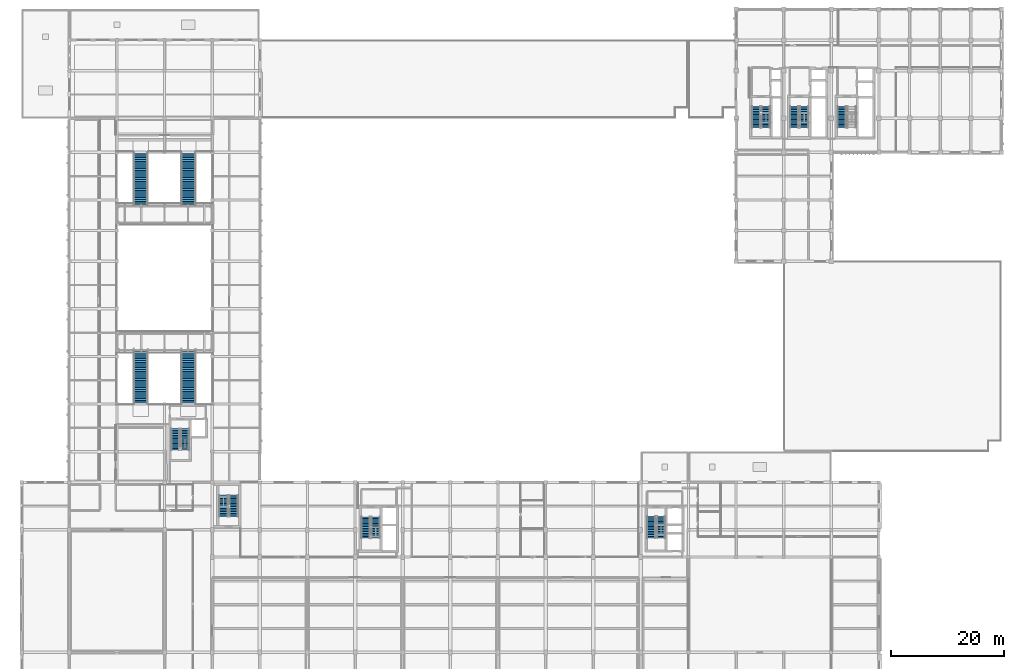
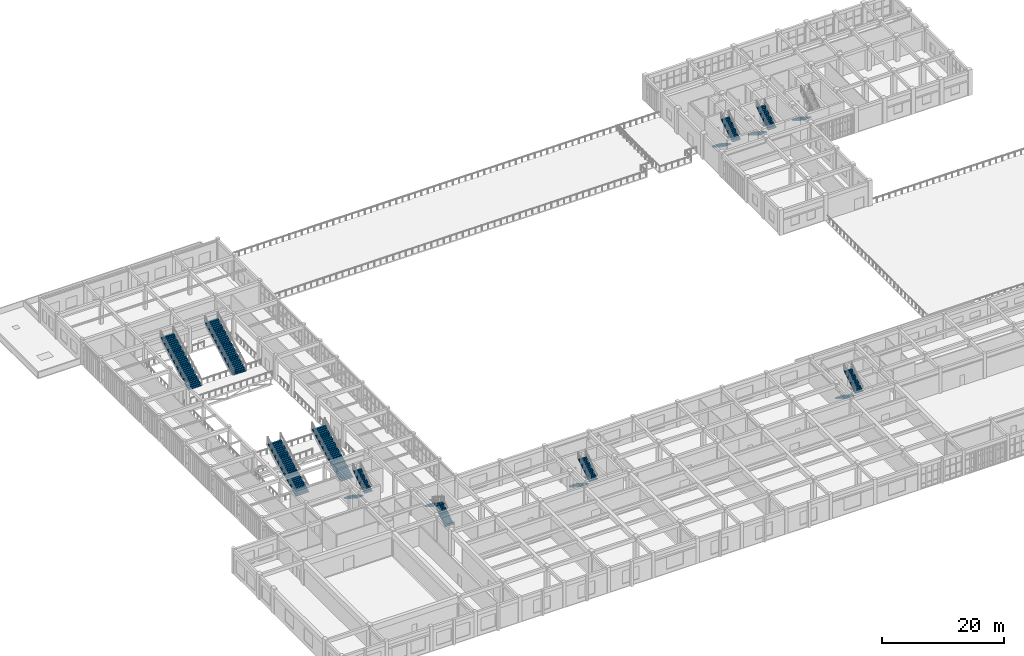
# One storey, part 83 of 93: 17 stair flights, 11 elements without a shape of their own.
"""IFC4 building model written with IfcOpenShell, lengths in metres."""

from ifc_helpers import new_model, si_unit, direction, frame, origin, place, context, subcontext, project, spatial, polyline, outline, extrude, material, type_object, element, aggregate, save


model = new_model("IFC4")

# Units and contexts
model_context = context("Model", 3, precision=1e-05, world=origin(), true_north=direction((0.0, 1.0)))
body_context = subcontext(model_context, "Body", "Model", "MODEL_VIEW")
ifc_project = project(units=[si_unit("LENGTHUNIT", "METRE"), si_unit("AREAUNIT", "SQUARE_METRE"), si_unit("VOLUMEUNIT", "CUBIC_METRE"), si_unit("PLANEANGLEUNIT", "RADIAN"), si_unit("MASSUNIT", "GRAM", prefix="KILO")], contexts=[model_context])

# Site, building, storey
site_placement = place(None, origin())
site = spatial("IfcSite", under=ifc_project, at=site_placement, CompositionType="ELEMENT")
building_placement = place(site_placement, origin())
building = spatial("IfcBuilding", under=site, at=building_placement, Name="Krzemoval Escarpment Law Courts", CompositionType="ELEMENT")
storey_placement = place(building_placement, frame((0.0, 0.0, 10.199951171875)))
storey = spatial("IfcBuildingStorey", under=building, at=storey_placement, Name="L02", CompositionType="ELEMENT", Elevation=10.199951171875)

# Stair, stair flights
ifc_material_1 = material(Name="Concrete C40/50", Category="concrete")
stair_type_1 = type_object("IfcStairType", Name="STR-CORE-1500", PredefinedType="HALF_TURN_STAIR", material=ifc_material_1)
stair_1_placement = place(storey_placement, origin())
stair_1 = element("IfcStair", 1, at=stair_1_placement, inside=storey, type_object=stair_type_1, Name="L02 ST5", PredefinedType="HALF_TURN_STAIR")
ifc_material_2 = material(Name="Concrete C40/50", Category="concrete")
stair_flight_type_1 = type_object("IfcStairFlightType", Name="STF-CORE-1500", PredefinedType="STRAIGHT", material=ifc_material_2)
stair_flight_1_placement = place(storey_placement, frame((27.10009765625, 44.85009765625, 0.0), z_axis=(0.0, 0.0, 1.0), x_axis=(0.0, -1.0, 0.0)))
stair_flight_1 = element("IfcStairFlight", 2, at=stair_flight_1_placement, type_object=stair_flight_type_1, Name="ST5 flight 1", NumberOfRisers=14, NumberOfTreads=13, PredefinedType="STRAIGHT", RiserHeight=0.182142857, TreadLength=0.29, context=body_context, shape_type="SweptSolid", body=[
    extrude(outline(polyline([(0.0, 0.0), (0.0, 0.18212890625), (0.2900390625, 0.18212890625), (0.2900390625, 0.3642578125), (0.580078125, 0.3642578125), (0.580078125, 0.54638671875), (0.8701171875, 0.54638671875), (0.8701171875, 0.728515625), (1.159912109375, 0.728515625), (1.159912109375, 0.91064453125), (1.449951171875, 0.91064453125), (1.449951171875, 1.0927734375), (1.739990234375, 1.0927734375), (1.739990234375, 1.27490234375), (2.030029296875, 1.27490234375), (2.030029296875, 1.45703125), (2.320068359375, 1.45703125), (2.320068359375, 1.639404296875), (2.610107421875, 1.639404296875), (2.610107421875, 1.821533203125), (2.89990234375, 1.821533203125), (2.89990234375, 2.003662109375), (3.18994140625, 2.003662109375), (3.18994140625, 2.185791015625), (3.47998046875, 2.185791015625), (3.47998046875, 2.367919921875), (3.77001953125, 2.367919921875), (3.77001953125, 2.550048828125), (3.77001953125, 2.19091796875), (0.28173828125, 0.0), (0.0, 0.0)])), frame((0.0, 0.75, 0.0), z_axis=(0.0, -1.0, 0.0), x_axis=(1.0, 0.0, 0.0)), (0.0, 0.0, 1.0), 1.5),
])
stair_flight_2_placement = place(storey_placement, frame((28.800048828125, 41.080078125, 2.550048828125), z_axis=(0.0, 0.0, 1.0), x_axis=(0.0, 1.0, 0.0)))
stair_flight_2 = element("IfcStairFlight", 3, at=stair_flight_2_placement, type_object=stair_flight_type_1, Name="ST5 flight 2", NumberOfRisers=14, NumberOfTreads=13, PredefinedType="STRAIGHT", RiserHeight=0.182142857, TreadLength=0.29, context=body_context, shape_type="SweptSolid", body=[
    extrude(outline(polyline([(0.0, 0.0), (0.0, 0.18212890625), (0.2900390625, 0.18212890625), (0.2900390625, 0.3642578125), (0.580078125, 0.3642578125), (0.580078125, 0.54638671875), (0.8701171875, 0.54638671875), (0.8701171875, 0.728515625), (1.159912109375, 0.728515625), (1.159912109375, 0.91064453125), (1.449951171875, 0.91064453125), (1.449951171875, 1.0927734375), (1.739990234375, 1.0927734375), (1.739990234375, 1.27490234375), (2.030029296875, 1.27490234375), (2.030029296875, 1.45703125), (2.320068359375, 1.45703125), (2.320068359375, 1.639404296875), (2.610107421875, 1.639404296875), (2.610107421875, 1.821533203125), (2.89990234375, 1.821533203125), (2.89990234375, 2.003662109375), (3.18994140625, 2.003662109375), (3.18994140625, 2.185791015625), (3.47998046875, 2.185791015625), (3.47998046875, 2.367919921875), (3.77001953125, 2.367919921875), (3.77001953125, 2.550048828125), (3.77001953125, 2.19091796875), (0.28173828125, 0.0), (0.0, 0.0)])), frame((0.0, 0.75, 0.0), z_axis=(0.0, -1.0, 0.0), x_axis=(1.0, 0.0, 0.0)), (0.0, 0.0, 1.0), 1.5),
])
aggregate(stair_1, [stair_flight_1, stair_flight_2])

stair_2_placement = place(storey_placement, origin())
stair_2 = element("IfcStair", 4, at=stair_2_placement, inside=storey, type_object=stair_type_1, Name="L02 ST6", PredefinedType="HALF_TURN_STAIR")
stair_flight_3_placement = place(storey_placement, frame((111.050048828125, 29.35009765625, 0.0), z_axis=(0.0, 0.0, 1.0), x_axis=(0.0, -1.0, 0.0)))
stair_flight_3 = element("IfcStairFlight", 5, at=stair_flight_3_placement, type_object=stair_flight_type_1, Name="ST6 flight 1", NumberOfRisers=14, NumberOfTreads=13, PredefinedType="STRAIGHT", RiserHeight=0.182142857, TreadLength=0.29, context=body_context, shape_type="SweptSolid", body=[
    extrude(outline(polyline([(0.0, 0.0), (0.0, 0.18212890625), (0.2900390625, 0.18212890625), (0.2900390625, 0.3642578125), (0.580078125, 0.3642578125), (0.580078125, 0.54638671875), (0.8701171875, 0.54638671875), (0.8701171875, 0.728515625), (1.159912109375, 0.728515625), (1.159912109375, 0.91064453125), (1.449951171875, 0.91064453125), (1.449951171875, 1.0927734375), (1.739990234375, 1.0927734375), (1.739990234375, 1.27490234375), (2.030029296875, 1.27490234375), (2.030029296875, 1.45703125), (2.320068359375, 1.45703125), (2.320068359375, 1.639404296875), (2.610107421875, 1.639404296875), (2.610107421875, 1.821533203125), (2.89990234375, 1.821533203125), (2.89990234375, 2.003662109375), (3.18994140625, 2.003662109375), (3.18994140625, 2.185791015625), (3.47998046875, 2.185791015625), (3.47998046875, 2.367919921875), (3.77001953125, 2.367919921875), (3.77001953125, 2.550048828125), (3.77001953125, 2.19091796875), (0.28173828125, 0.0), (0.0, 0.0)])), frame((0.0, 0.75, 0.0), z_axis=(0.0, -1.0, 0.0), x_axis=(1.0, 0.0, 0.0)), (0.0, 0.0, 1.0), 1.5),
])
stair_flight_4_placement = place(storey_placement, frame((112.75, 25.580078125, 2.550048828125), z_axis=(0.0, 0.0, 1.0), x_axis=(0.0, 1.0, 0.0)))
stair_flight_4 = element("IfcStairFlight", 6, at=stair_flight_4_placement, type_object=stair_flight_type_1, Name="ST6 flight 2", NumberOfRisers=14, NumberOfTreads=13, PredefinedType="STRAIGHT", RiserHeight=0.182142857, TreadLength=0.29, context=body_context, shape_type="SweptSolid", body=[
    extrude(outline(polyline([(0.0, 0.0), (0.0, 0.18212890625), (0.2900390625, 0.18212890625), (0.2900390625, 0.3642578125), (0.580078125, 0.3642578125), (0.580078125, 0.54638671875), (0.8701171875, 0.54638671875), (0.8701171875, 0.728515625), (1.159912109375, 0.728515625), (1.159912109375, 0.91064453125), (1.449951171875, 0.91064453125), (1.449951171875, 1.0927734375), (1.739990234375, 1.0927734375), (1.739990234375, 1.27490234375), (2.030029296875, 1.27490234375), (2.030029296875, 1.45703125), (2.320068359375, 1.45703125), (2.320068359375, 1.639404296875), (2.610107421875, 1.639404296875), (2.610107421875, 1.821533203125), (2.89990234375, 1.821533203125), (2.89990234375, 2.003662109375), (3.18994140625, 2.003662109375), (3.18994140625, 2.185791015625), (3.47998046875, 2.185791015625), (3.47998046875, 2.367919921875), (3.77001953125, 2.367919921875), (3.77001953125, 2.550048828125), (3.77001953125, 2.19091796875), (0.28173828125, 0.0), (0.0, 0.0)])), frame((0.0, 0.75, 0.0), z_axis=(0.0, -1.0, 0.0), x_axis=(1.0, 0.0, 0.0)), (0.0, 0.0, 1.0), 1.5),
])
aggregate(stair_2, [stair_flight_3, stair_flight_4])

ifc_material_3 = material(Name="Concrete C40/50", Category="concrete")
stair_type_2 = type_object("IfcStairType", Name="STR-CORE-1550", PredefinedType="HALF_TURN_STAIR", material=ifc_material_3)
stair_3_placement = place(storey_placement, origin())
stair_3 = element("IfcStair", 7, at=stair_3_placement, inside=storey, type_object=stair_type_2, Name="L02 ST1", PredefinedType="HALF_TURN_STAIR")
ifc_material_4 = material(Name="Concrete C40/50", Category="concrete")
stair_flight_type_2 = type_object("IfcStairFlightType", Name="STF-CORE-1550", PredefinedType="STRAIGHT", material=ifc_material_4)
stair_flight_5_placement = place(storey_placement, frame((129.52490234375, 101.699951171875, 0.0), z_axis=(0.0, 0.0, 1.0), x_axis=(0.0, -1.0, 0.0)))
stair_flight_5 = element("IfcStairFlight", 8, at=stair_flight_5_placement, type_object=stair_flight_type_2, Name="ST1 flight 1", NumberOfRisers=14, NumberOfTreads=13, PredefinedType="STRAIGHT", RiserHeight=0.182142857, TreadLength=0.29, context=body_context, shape_type="SweptSolid", body=[
    extrude(outline(polyline([(0.0, 0.0), (0.0, 0.18212890625), (0.2900390625, 0.18212890625), (0.2900390625, 0.3642578125), (0.580078125, 0.3642578125), (0.580078125, 0.54638671875), (0.8701171875, 0.54638671875), (0.8701171875, 0.728515625), (1.159912109375, 0.728515625), (1.159912109375, 0.91064453125), (1.449951171875, 0.91064453125), (1.449951171875, 1.0927734375), (1.739990234375, 1.0927734375), (1.739990234375, 1.27490234375), (2.030029296875, 1.27490234375), (2.030029296875, 1.45703125), (2.320068359375, 1.45703125), (2.320068359375, 1.639404296875), (2.610107421875, 1.639404296875), (2.610107421875, 1.821533203125), (2.89990234375, 1.821533203125), (2.89990234375, 2.003662109375), (3.18994140625, 2.003662109375), (3.18994140625, 2.185791015625), (3.47998046875, 2.185791015625), (3.47998046875, 2.367919921875), (3.77001953125, 2.367919921875), (3.77001953125, 2.550048828125), (3.77001953125, 2.19091796875), (0.28173828125, 0.0), (0.0, 0.0)])), frame((0.0, 0.77490234375, 0.0), z_axis=(0.0, -1.0, 0.0), x_axis=(1.0, 0.0, 0.0)), (0.0, 0.0, 1.0), 1.550048828125),
])
stair_flight_6_placement = place(storey_placement, frame((131.27490234375, 97.929931640625, 2.550048828125), z_axis=(0.0, 0.0, 1.0), x_axis=(0.0, 1.0, 0.0)))
stair_flight_6 = element("IfcStairFlight", 9, at=stair_flight_6_placement, type_object=stair_flight_type_2, Name="ST1 flight 2", NumberOfRisers=14, NumberOfTreads=13, PredefinedType="STRAIGHT", RiserHeight=0.182142857, TreadLength=0.29, context=body_context, shape_type="SweptSolid", body=[
    extrude(outline(polyline([(0.0, 0.0), (0.0, 0.18212890625), (0.2900390625, 0.18212890625), (0.2900390625, 0.3642578125), (0.580078125, 0.3642578125), (0.580078125, 0.54638671875), (0.8701171875, 0.54638671875), (0.8701171875, 0.728515625), (1.159912109375, 0.728515625), (1.159912109375, 0.91064453125), (1.449951171875, 0.91064453125), (1.449951171875, 1.0927734375), (1.739990234375, 1.0927734375), (1.739990234375, 1.27490234375), (2.030029296875, 1.27490234375), (2.030029296875, 1.45703125), (2.320068359375, 1.45703125), (2.320068359375, 1.639404296875), (2.610107421875, 1.639404296875), (2.610107421875, 1.821533203125), (2.89990234375, 1.821533203125), (2.89990234375, 2.003662109375), (3.18994140625, 2.003662109375), (3.18994140625, 2.185791015625), (3.47998046875, 2.185791015625), (3.47998046875, 2.367919921875), (3.77001953125, 2.367919921875), (3.77001953125, 2.550048828125), (3.77001953125, 2.19091796875), (0.28173828125, 0.0), (0.0, 0.0)])), frame((0.0, 0.77490234375, 0.0), z_axis=(0.0, -1.0, 0.0), x_axis=(1.0, 0.0, 0.0)), (0.0, 0.0, 1.0), 1.550048828125),
])
aggregate(stair_3, [stair_flight_5, stair_flight_6])

stair_4_placement = place(storey_placement, origin())
stair_4 = element("IfcStair", 10, at=stair_4_placement, inside=storey, type_object=stair_type_2, Name="L02 ST2", PredefinedType="HALF_TURN_STAIR")
stair_flight_7_placement = place(storey_placement, frame((136.27490234375, 101.699951171875, 0.0), z_axis=(0.0, 0.0, 1.0), x_axis=(0.0, -1.0, 0.0)))
stair_flight_7 = element("IfcStairFlight", 11, at=stair_flight_7_placement, type_object=stair_flight_type_2, Name="ST2 flight 1", NumberOfRisers=14, NumberOfTreads=13, PredefinedType="STRAIGHT", RiserHeight=0.182142857, TreadLength=0.29, context=body_context, shape_type="SweptSolid", body=[
    extrude(outline(polyline([(0.0, 0.0), (0.0, 0.18212890625), (0.2900390625, 0.18212890625), (0.2900390625, 0.3642578125), (0.580078125, 0.3642578125), (0.580078125, 0.54638671875), (0.8701171875, 0.54638671875), (0.8701171875, 0.728515625), (1.159912109375, 0.728515625), (1.159912109375, 0.91064453125), (1.449951171875, 0.91064453125), (1.449951171875, 1.0927734375), (1.739990234375, 1.0927734375), (1.739990234375, 1.27490234375), (2.030029296875, 1.27490234375), (2.030029296875, 1.45703125), (2.320068359375, 1.45703125), (2.320068359375, 1.639404296875), (2.610107421875, 1.639404296875), (2.610107421875, 1.821533203125), (2.89990234375, 1.821533203125), (2.89990234375, 2.003662109375), (3.18994140625, 2.003662109375), (3.18994140625, 2.185791015625), (3.47998046875, 2.185791015625), (3.47998046875, 2.367919921875), (3.77001953125, 2.367919921875), (3.77001953125, 2.550048828125), (3.77001953125, 2.19091796875), (0.28173828125, 0.0), (0.0, 0.0)])), frame((0.0, 0.77490234375, 0.0), z_axis=(0.0, -1.0, 0.0), x_axis=(1.0, 0.0, 0.0)), (0.0, 0.0, 1.0), 1.550048828125),
])
stair_flight_8_placement = place(storey_placement, frame((138.02490234375, 97.929931640625, 2.550048828125), z_axis=(0.0, 0.0, 1.0), x_axis=(0.0, 1.0, 0.0)))
stair_flight_8 = element("IfcStairFlight", 12, at=stair_flight_8_placement, type_object=stair_flight_type_2, Name="ST2 flight 2", NumberOfRisers=14, NumberOfTreads=13, PredefinedType="STRAIGHT", RiserHeight=0.182142857, TreadLength=0.29, context=body_context, shape_type="SweptSolid", body=[
    extrude(outline(polyline([(0.0, 0.0), (0.0, 0.18212890625), (0.2900390625, 0.18212890625), (0.2900390625, 0.3642578125), (0.580078125, 0.3642578125), (0.580078125, 0.54638671875), (0.8701171875, 0.54638671875), (0.8701171875, 0.728515625), (1.159912109375, 0.728515625), (1.159912109375, 0.91064453125), (1.449951171875, 0.91064453125), (1.449951171875, 1.0927734375), (1.739990234375, 1.0927734375), (1.739990234375, 1.27490234375), (2.030029296875, 1.27490234375), (2.030029296875, 1.45703125), (2.320068359375, 1.45703125), (2.320068359375, 1.639404296875), (2.610107421875, 1.639404296875), (2.610107421875, 1.821533203125), (2.89990234375, 1.821533203125), (2.89990234375, 2.003662109375), (3.18994140625, 2.003662109375), (3.18994140625, 2.185791015625), (3.47998046875, 2.185791015625), (3.47998046875, 2.367919921875), (3.77001953125, 2.367919921875), (3.77001953125, 2.550048828125), (3.77001953125, 2.19091796875), (0.28173828125, 0.0), (0.0, 0.0)])), frame((0.0, 0.77490234375, 0.0), z_axis=(0.0, -1.0, 0.0), x_axis=(1.0, 0.0, 0.0)), (0.0, 0.0, 1.0), 1.550048828125),
])
aggregate(stair_4, [stair_flight_7, stair_flight_8])

# Stair, stair flight
stair_5_placement = place(storey_placement, origin())
stair_5 = element("IfcStair", 13, at=stair_5_placement, inside=storey, type_object=stair_type_2, Name="L02 ST3", PredefinedType="HALF_TURN_STAIR")
stair_flight_9_placement = place(storey_placement, frame((144.675048828125, 101.699951171875, 0.0), z_axis=(0.0, 0.0, 1.0), x_axis=(0.0, -1.0, 0.0)))
stair_flight_9 = element("IfcStairFlight", 14, at=stair_flight_9_placement, type_object=stair_flight_type_2, Name="ST3 flight 1", NumberOfRisers=14, NumberOfTreads=13, PredefinedType="STRAIGHT", RiserHeight=0.182142857, TreadLength=0.29, context=body_context, shape_type="SweptSolid", body=[
    extrude(outline(polyline([(0.0, 0.0), (0.0, 0.18212890625), (0.2900390625, 0.18212890625), (0.2900390625, 0.3642578125), (0.580078125, 0.3642578125), (0.580078125, 0.54638671875), (0.8701171875, 0.54638671875), (0.8701171875, 0.728515625), (1.159912109375, 0.728515625), (1.159912109375, 0.91064453125), (1.449951171875, 0.91064453125), (1.449951171875, 1.0927734375), (1.739990234375, 1.0927734375), (1.739990234375, 1.27490234375), (2.030029296875, 1.27490234375), (2.030029296875, 1.45703125), (2.320068359375, 1.45703125), (2.320068359375, 1.639404296875), (2.610107421875, 1.639404296875), (2.610107421875, 1.821533203125), (2.89990234375, 1.821533203125), (2.89990234375, 2.003662109375), (3.18994140625, 2.003662109375), (3.18994140625, 2.185791015625), (3.47998046875, 2.185791015625), (3.47998046875, 2.367919921875), (3.77001953125, 2.367919921875), (3.77001953125, 2.550048828125), (3.77001953125, 2.19091796875), (0.28173828125, 0.0), (0.0, 0.0)])), frame((0.0, 0.77490234375, 0.0), z_axis=(0.0, -1.0, 0.0), x_axis=(1.0, 0.0, 0.0)), (0.0, 0.0, 1.0), 1.550048828125),
])
aggregate(stair_5, [stair_flight_9])

# Stair, stair flights
stair_6_placement = place(storey_placement, origin())
stair_6 = element("IfcStair", 15, at=stair_6_placement, inside=storey, type_object=stair_type_2, Name="L02 ST4", PredefinedType="HALF_TURN_STAIR")
stair_flight_10_placement = place(storey_placement, frame((60.675048828125, 29.300048828125, 0.0), z_axis=(0.0, 0.0, 1.0), x_axis=(0.0, -1.0, 0.0)))
stair_flight_10 = element("IfcStairFlight", 16, at=stair_flight_10_placement, type_object=stair_flight_type_2, Name="ST4 flight 1", NumberOfRisers=14, NumberOfTreads=13, PredefinedType="STRAIGHT", RiserHeight=0.182142857, TreadLength=0.29, context=body_context, shape_type="SweptSolid", body=[
    extrude(outline(polyline([(0.0, 0.0), (0.0, 0.18212890625), (0.2900390625, 0.18212890625), (0.2900390625, 0.3642578125), (0.580078125, 0.3642578125), (0.580078125, 0.54638671875), (0.8701171875, 0.54638671875), (0.8701171875, 0.728515625), (1.159912109375, 0.728515625), (1.159912109375, 0.91064453125), (1.449951171875, 0.91064453125), (1.449951171875, 1.0927734375), (1.739990234375, 1.0927734375), (1.739990234375, 1.27490234375), (2.030029296875, 1.27490234375), (2.030029296875, 1.45703125), (2.320068359375, 1.45703125), (2.320068359375, 1.639404296875), (2.610107421875, 1.639404296875), (2.610107421875, 1.821533203125), (2.89990234375, 1.821533203125), (2.89990234375, 2.003662109375), (3.18994140625, 2.003662109375), (3.18994140625, 2.185791015625), (3.47998046875, 2.185791015625), (3.47998046875, 2.367919921875), (3.77001953125, 2.367919921875), (3.77001953125, 2.550048828125), (3.77001953125, 2.19091796875), (0.28173828125, 0.0), (0.0, 0.0)])), frame((0.0, 0.77490234375, 0.0), z_axis=(0.0, -1.0, 0.0), x_axis=(1.0, 0.0, 0.0)), (0.0, 0.0, 1.0), 1.550048828125),
])
stair_flight_11_placement = place(storey_placement, frame((62.425048828125, 25.530029296875, 2.550048828125), z_axis=(0.0, 0.0, 1.0), x_axis=(0.0, 1.0, 0.0)))
stair_flight_11 = element("IfcStairFlight", 17, at=stair_flight_11_placement, type_object=stair_flight_type_2, Name="ST4 flight 2", NumberOfRisers=14, NumberOfTreads=13, PredefinedType="STRAIGHT", RiserHeight=0.182142857, TreadLength=0.29, context=body_context, shape_type="SweptSolid", body=[
    extrude(outline(polyline([(0.0, 0.0), (0.0, 0.18212890625), (0.2900390625, 0.18212890625), (0.2900390625, 0.3642578125), (0.580078125, 0.3642578125), (0.580078125, 0.54638671875), (0.8701171875, 0.54638671875), (0.8701171875, 0.728515625), (1.159912109375, 0.728515625), (1.159912109375, 0.91064453125), (1.449951171875, 0.91064453125), (1.449951171875, 1.0927734375), (1.739990234375, 1.0927734375), (1.739990234375, 1.27490234375), (2.030029296875, 1.27490234375), (2.030029296875, 1.45703125), (2.320068359375, 1.45703125), (2.320068359375, 1.639404296875), (2.610107421875, 1.639404296875), (2.610107421875, 1.821533203125), (2.89990234375, 1.821533203125), (2.89990234375, 2.003662109375), (3.18994140625, 2.003662109375), (3.18994140625, 2.185791015625), (3.47998046875, 2.185791015625), (3.47998046875, 2.367919921875), (3.77001953125, 2.367919921875), (3.77001953125, 2.550048828125), (3.77001953125, 2.19091796875), (0.28173828125, 0.0), (0.0, 0.0)])), frame((0.0, 0.77490234375, 0.0), z_axis=(0.0, -1.0, 0.0), x_axis=(1.0, 0.0, 0.0)), (0.0, 0.0, 1.0), 1.550048828125),
])
aggregate(stair_6, [stair_flight_10, stair_flight_11])

ifc_material_5 = material(Name="Concrete C40/50", Category="concrete")
stair_type_3 = type_object("IfcStairType", Name="STR-CORE-1600", PredefinedType="HALF_TURN_STAIR", material=ifc_material_5)
stair_7_placement = place(storey_placement, origin())
stair_7 = element("IfcStair", 18, at=stair_7_placement, inside=storey, type_object=stair_type_3, Name="L02 ST9", PredefinedType="HALF_TURN_STAIR")
ifc_material_6 = material(Name="Concrete C40/50", Category="concrete")
stair_flight_type_3 = type_object("IfcStairFlightType", Name="STF-CORE-1600", PredefinedType="STRAIGHT", material=ifc_material_6)
stair_flight_12_placement = place(storey_placement, frame((37.39990234375, 29.35009765625, 0.0), z_axis=(0.0, 0.0, 1.0), x_axis=(0.0, 1.0, 0.0)))
stair_flight_12 = element("IfcStairFlight", 19, at=stair_flight_12_placement, type_object=stair_flight_type_3, Name="ST9 flight 1", NumberOfRisers=14, NumberOfTreads=13, PredefinedType="STRAIGHT", RiserHeight=0.182142857, TreadLength=0.29, context=body_context, shape_type="SweptSolid", body=[
    extrude(outline(polyline([(0.0, 0.0), (0.0, 0.18212890625), (0.2900390625, 0.18212890625), (0.2900390625, 0.3642578125), (0.580078125, 0.3642578125), (0.580078125, 0.54638671875), (0.8701171875, 0.54638671875), (0.8701171875, 0.728515625), (1.159912109375, 0.728515625), (1.159912109375, 0.91064453125), (1.449951171875, 0.91064453125), (1.449951171875, 1.0927734375), (1.739990234375, 1.0927734375), (1.739990234375, 1.27490234375), (2.030029296875, 1.27490234375), (2.030029296875, 1.45703125), (2.320068359375, 1.45703125), (2.320068359375, 1.639404296875), (2.610107421875, 1.639404296875), (2.610107421875, 1.821533203125), (2.89990234375, 1.821533203125), (2.89990234375, 2.003662109375), (3.18994140625, 2.003662109375), (3.18994140625, 2.185791015625), (3.47998046875, 2.185791015625), (3.47998046875, 2.367919921875), (3.77001953125, 2.367919921875), (3.77001953125, 2.550048828125), (3.77001953125, 2.19091796875), (0.28173828125, 0.0), (0.0, 0.0)])), frame((0.0, 0.800048828125, 0.0), z_axis=(0.0, -1.0, 0.0), x_axis=(1.0, 0.0, 0.0)), (0.0, 0.0, 1.0), 1.60009765625),
])
stair_flight_13_placement = place(storey_placement, frame((35.60009765625, 33.1201171875, 2.550048828125), z_axis=(0.0, 0.0, 1.0), x_axis=(0.0, -1.0, 0.0)))
stair_flight_13 = element("IfcStairFlight", 20, at=stair_flight_13_placement, type_object=stair_flight_type_3, Name="ST9 flight 2", NumberOfRisers=14, NumberOfTreads=13, PredefinedType="STRAIGHT", RiserHeight=0.182142857, TreadLength=0.29, context=body_context, shape_type="SweptSolid", body=[
    extrude(outline(polyline([(0.0, 0.0), (0.0, 0.18212890625), (0.2900390625, 0.18212890625), (0.2900390625, 0.3642578125), (0.580078125, 0.3642578125), (0.580078125, 0.54638671875), (0.8701171875, 0.54638671875), (0.8701171875, 0.728515625), (1.159912109375, 0.728515625), (1.159912109375, 0.91064453125), (1.449951171875, 0.91064453125), (1.449951171875, 1.0927734375), (1.739990234375, 1.0927734375), (1.739990234375, 1.27490234375), (2.030029296875, 1.27490234375), (2.030029296875, 1.45703125), (2.320068359375, 1.45703125), (2.320068359375, 1.639404296875), (2.610107421875, 1.639404296875), (2.610107421875, 1.821533203125), (2.89990234375, 1.821533203125), (2.89990234375, 2.003662109375), (3.18994140625, 2.003662109375), (3.18994140625, 2.185791015625), (3.47998046875, 2.185791015625), (3.47998046875, 2.367919921875), (3.77001953125, 2.367919921875), (3.77001953125, 2.550048828125), (3.77001953125, 2.19091796875), (0.28173828125, 0.0), (0.0, 0.0)])), frame((0.0, 0.800048828125, 0.0), z_axis=(0.0, -1.0, 0.0), x_axis=(1.0, 0.0, 0.0)), (0.0, 0.0, 1.0), 1.60009765625),
])
aggregate(stair_7, [stair_flight_12, stair_flight_13])

# Stair, stair flight
ifc_material_7 = material(Name="Concrete C40/50", Category="concrete")
stair_type_4 = type_object("IfcStairType", Name="STR-MON-2500", PredefinedType="STRAIGHT_RUN_STAIR", material=ifc_material_7)
stair_8_placement = place(storey_placement, origin())
stair_8 = element("IfcStair", 21, at=stair_8_placement, inside=storey, type_object=stair_type_4, Name="Monumental Public Hall Stair ST7-L02", PredefinedType="STRAIGHT_RUN_STAIR")
ifc_material_8 = material(Name="Concrete C40/50", Category="concrete")
stair_flight_type_4 = type_object("IfcStairFlightType", Name="STF-MON-2500", PredefinedType="STRAIGHT", material=ifc_material_8)
stair_flight_14_placement = place(storey_placement, frame((21.0, 49.199951171875, 0.0), z_axis=(0.0, 0.0, 1.0), x_axis=(0.0, 1.0, 0.0)))
stair_flight_14 = element("IfcStairFlight", 22, at=stair_flight_14_placement, type_object=stair_flight_type_4, Name="ST7-L02 flight 1", NumberOfRisers=30, NumberOfTreads=29, PredefinedType="STRAIGHT", RiserHeight=0.17, TreadLength=0.32, context=body_context, shape_type="SweptSolid", body=[
    extrude(outline(polyline([(0.0, 0.0), (0.0, 0.169921875), (0.320068359375, 0.169921875), (0.320068359375, 0.340087890625), (0.639892578125, 0.340087890625), (0.639892578125, 0.510009765625), (0.9599609375, 0.510009765625), (0.9599609375, 0.679931640625), (1.280029296875, 0.679931640625), (1.280029296875, 0.85009765625), (1.60009765625, 0.85009765625), (1.60009765625, 1.02001953125), (1.919921875, 1.02001953125), (1.919921875, 1.18994140625), (2.239990234375, 1.18994140625), (2.239990234375, 1.360107421875), (2.56005859375, 1.360107421875), (2.56005859375, 1.530029296875), (2.8798828125, 1.530029296875), (2.8798828125, 1.699951171875), (3.199951171875, 1.699951171875), (3.199951171875, 1.8701171875), (3.52001953125, 1.8701171875), (3.52001953125, 2.0400390625), (3.840087890625, 2.0400390625), (3.840087890625, 2.2099609375), (4.159912109375, 2.2099609375), (4.159912109375, 2.3798828125), (4.47998046875, 2.3798828125), (4.47998046875, 2.550048828125), (4.800048828125, 2.550048828125), (4.800048828125, 2.719970703125), (5.1201171875, 2.719970703125), (5.1201171875, 2.889892578125), (5.43994140625, 2.889892578125), (5.43994140625, 3.06005859375), (5.760009765625, 3.06005859375), (5.760009765625, 3.22998046875), (6.080078125, 3.22998046875), (6.080078125, 3.39990234375), (6.39990234375, 3.39990234375), (6.39990234375, 3.570068359375), (6.719970703125, 3.570068359375), (6.719970703125, 3.739990234375), (7.0400390625, 3.739990234375), (7.0400390625, 3.909912109375), (7.360107421875, 3.909912109375), (7.360107421875, 4.080078125), (7.679931640625, 4.080078125), (7.679931640625, 4.25), (8.0, 4.25), (8.0, 4.419921875), (8.320068359375, 4.419921875), (8.320068359375, 4.590087890625), (8.639892578125, 4.590087890625), (8.639892578125, 4.760009765625), (8.9599609375, 4.760009765625), (8.9599609375, 4.929931640625), (9.280029296875, 4.929931640625), (9.280029296875, 5.10009765625), (9.280029296875, 4.726318359375), (0.383544921875, 0.0), (0.0, 0.0)])), frame((0.0, 1.25, 0.0), z_axis=(0.0, -1.0, 0.0), x_axis=(1.0, 0.0, 0.0)), (0.0, 0.0, 1.0), 2.5),
])
aggregate(stair_8, [stair_flight_14])

stair_9_placement = place(storey_placement, origin())
stair_9 = element("IfcStair", 23, at=stair_9_placement, inside=storey, type_object=stair_type_4, Name="Monumental Public Hall Stair ST8-L02", PredefinedType="STRAIGHT_RUN_STAIR")
stair_flight_15_placement = place(storey_placement, frame((29.39990234375, 49.199951171875, 0.0), z_axis=(0.0, 0.0, 1.0), x_axis=(0.0, 1.0, 0.0)))
stair_flight_15 = element("IfcStairFlight", 24, at=stair_flight_15_placement, type_object=stair_flight_type_4, Name="ST8-L02 flight 1", NumberOfRisers=30, NumberOfTreads=29, PredefinedType="STRAIGHT", RiserHeight=0.17, TreadLength=0.32, context=body_context, shape_type="SweptSolid", body=[
    extrude(outline(polyline([(0.0, 0.0), (0.0, 0.169921875), (0.320068359375, 0.169921875), (0.320068359375, 0.340087890625), (0.639892578125, 0.340087890625), (0.639892578125, 0.510009765625), (0.9599609375, 0.510009765625), (0.9599609375, 0.679931640625), (1.280029296875, 0.679931640625), (1.280029296875, 0.85009765625), (1.60009765625, 0.85009765625), (1.60009765625, 1.02001953125), (1.919921875, 1.02001953125), (1.919921875, 1.18994140625), (2.239990234375, 1.18994140625), (2.239990234375, 1.360107421875), (2.56005859375, 1.360107421875), (2.56005859375, 1.530029296875), (2.8798828125, 1.530029296875), (2.8798828125, 1.699951171875), (3.199951171875, 1.699951171875), (3.199951171875, 1.8701171875), (3.52001953125, 1.8701171875), (3.52001953125, 2.0400390625), (3.840087890625, 2.0400390625), (3.840087890625, 2.2099609375), (4.159912109375, 2.2099609375), (4.159912109375, 2.3798828125), (4.47998046875, 2.3798828125), (4.47998046875, 2.550048828125), (4.800048828125, 2.550048828125), (4.800048828125, 2.719970703125), (5.1201171875, 2.719970703125), (5.1201171875, 2.889892578125), (5.43994140625, 2.889892578125), (5.43994140625, 3.06005859375), (5.760009765625, 3.06005859375), (5.760009765625, 3.22998046875), (6.080078125, 3.22998046875), (6.080078125, 3.39990234375), (6.39990234375, 3.39990234375), (6.39990234375, 3.570068359375), (6.719970703125, 3.570068359375), (6.719970703125, 3.739990234375), (7.0400390625, 3.739990234375), (7.0400390625, 3.909912109375), (7.360107421875, 3.909912109375), (7.360107421875, 4.080078125), (7.679931640625, 4.080078125), (7.679931640625, 4.25), (8.0, 4.25), (8.0, 4.419921875), (8.320068359375, 4.419921875), (8.320068359375, 4.590087890625), (8.639892578125, 4.590087890625), (8.639892578125, 4.760009765625), (8.9599609375, 4.760009765625), (8.9599609375, 4.929931640625), (9.280029296875, 4.929931640625), (9.280029296875, 5.10009765625), (9.280029296875, 4.726318359375), (0.383544921875, 0.0), (0.0, 0.0)])), frame((0.0, 1.25, 0.0), z_axis=(0.0, -1.0, 0.0), x_axis=(1.0, 0.0, 0.0)), (0.0, 0.0, 1.0), 2.5),
])
aggregate(stair_9, [stair_flight_15])

stair_10_placement = place(storey_placement, origin())
stair_10 = element("IfcStair", 25, at=stair_10_placement, inside=storey, type_object=stair_type_4, Name="Monumental Public Hall Stair ST10-L02", PredefinedType="STRAIGHT_RUN_STAIR")
stair_flight_16_placement = place(storey_placement, frame((21.0, 84.320068359375, 0.0), z_axis=(0.0, 0.0, 1.0), x_axis=(0.0, 1.0, 0.0)))
stair_flight_16 = element("IfcStairFlight", 26, at=stair_flight_16_placement, type_object=stair_flight_type_4, Name="ST10-L02 flight 1", NumberOfRisers=30, NumberOfTreads=29, PredefinedType="STRAIGHT", RiserHeight=0.17, TreadLength=0.32, context=body_context, shape_type="SweptSolid", body=[
    extrude(outline(polyline([(0.0, 0.0), (0.0, 0.169921875), (0.320068359375, 0.169921875), (0.320068359375, 0.340087890625), (0.639892578125, 0.340087890625), (0.639892578125, 0.510009765625), (0.9599609375, 0.510009765625), (0.9599609375, 0.679931640625), (1.280029296875, 0.679931640625), (1.280029296875, 0.85009765625), (1.60009765625, 0.85009765625), (1.60009765625, 1.02001953125), (1.919921875, 1.02001953125), (1.919921875, 1.18994140625), (2.239990234375, 1.18994140625), (2.239990234375, 1.360107421875), (2.56005859375, 1.360107421875), (2.56005859375, 1.530029296875), (2.8798828125, 1.530029296875), (2.8798828125, 1.699951171875), (3.199951171875, 1.699951171875), (3.199951171875, 1.8701171875), (3.52001953125, 1.8701171875), (3.52001953125, 2.0400390625), (3.840087890625, 2.0400390625), (3.840087890625, 2.2099609375), (4.159912109375, 2.2099609375), (4.159912109375, 2.3798828125), (4.47998046875, 2.3798828125), (4.47998046875, 2.550048828125), (4.800048828125, 2.550048828125), (4.800048828125, 2.719970703125), (5.1201171875, 2.719970703125), (5.1201171875, 2.889892578125), (5.43994140625, 2.889892578125), (5.43994140625, 3.06005859375), (5.760009765625, 3.06005859375), (5.760009765625, 3.22998046875), (6.080078125, 3.22998046875), (6.080078125, 3.39990234375), (6.39990234375, 3.39990234375), (6.39990234375, 3.570068359375), (6.719970703125, 3.570068359375), (6.719970703125, 3.739990234375), (7.0400390625, 3.739990234375), (7.0400390625, 3.909912109375), (7.360107421875, 3.909912109375), (7.360107421875, 4.080078125), (7.679931640625, 4.080078125), (7.679931640625, 4.25), (8.0, 4.25), (8.0, 4.419921875), (8.320068359375, 4.419921875), (8.320068359375, 4.590087890625), (8.639892578125, 4.590087890625), (8.639892578125, 4.760009765625), (8.9599609375, 4.760009765625), (8.9599609375, 4.929931640625), (9.280029296875, 4.929931640625), (9.280029296875, 5.10009765625), (9.280029296875, 4.726318359375), (0.383544921875, 0.0), (0.0, 0.0)])), frame((0.0, 1.25, 0.0), z_axis=(0.0, -1.0, 0.0), x_axis=(1.0, 0.0, 0.0)), (0.0, 0.0, 1.0), 2.5),
])
aggregate(stair_10, [stair_flight_16])

stair_11_placement = place(storey_placement, origin())
stair_11 = element("IfcStair", 27, at=stair_11_placement, inside=storey, type_object=stair_type_4, Name="Monumental Public Hall Stair ST11-L02", PredefinedType="STRAIGHT_RUN_STAIR")
stair_flight_17_placement = place(storey_placement, frame((29.39990234375, 84.320068359375, 0.0), z_axis=(0.0, 0.0, 1.0), x_axis=(0.0, 1.0, 0.0)))
stair_flight_17 = element("IfcStairFlight", 28, at=stair_flight_17_placement, type_object=stair_flight_type_4, Name="ST11-L02 flight 1", NumberOfRisers=30, NumberOfTreads=29, PredefinedType="STRAIGHT", RiserHeight=0.17, TreadLength=0.32, context=body_context, shape_type="SweptSolid", body=[
    extrude(outline(polyline([(0.0, 0.0), (0.0, 0.169921875), (0.320068359375, 0.169921875), (0.320068359375, 0.340087890625), (0.639892578125, 0.340087890625), (0.639892578125, 0.510009765625), (0.9599609375, 0.510009765625), (0.9599609375, 0.679931640625), (1.280029296875, 0.679931640625), (1.280029296875, 0.85009765625), (1.60009765625, 0.85009765625), (1.60009765625, 1.02001953125), (1.919921875, 1.02001953125), (1.919921875, 1.18994140625), (2.239990234375, 1.18994140625), (2.239990234375, 1.360107421875), (2.56005859375, 1.360107421875), (2.56005859375, 1.530029296875), (2.8798828125, 1.530029296875), (2.8798828125, 1.699951171875), (3.199951171875, 1.699951171875), (3.199951171875, 1.8701171875), (3.52001953125, 1.8701171875), (3.52001953125, 2.0400390625), (3.840087890625, 2.0400390625), (3.840087890625, 2.2099609375), (4.159912109375, 2.2099609375), (4.159912109375, 2.3798828125), (4.47998046875, 2.3798828125), (4.47998046875, 2.550048828125), (4.800048828125, 2.550048828125), (4.800048828125, 2.719970703125), (5.1201171875, 2.719970703125), (5.1201171875, 2.889892578125), (5.43994140625, 2.889892578125), (5.43994140625, 3.06005859375), (5.760009765625, 3.06005859375), (5.760009765625, 3.22998046875), (6.080078125, 3.22998046875), (6.080078125, 3.39990234375), (6.39990234375, 3.39990234375), (6.39990234375, 3.570068359375), (6.719970703125, 3.570068359375), (6.719970703125, 3.739990234375), (7.0400390625, 3.739990234375), (7.0400390625, 3.909912109375), (7.360107421875, 3.909912109375), (7.360107421875, 4.080078125), (7.679931640625, 4.080078125), (7.679931640625, 4.25), (8.0, 4.25), (8.0, 4.419921875), (8.320068359375, 4.419921875), (8.320068359375, 4.590087890625), (8.639892578125, 4.590087890625), (8.639892578125, 4.760009765625), (8.9599609375, 4.760009765625), (8.9599609375, 4.929931640625), (9.280029296875, 4.929931640625), (9.280029296875, 5.10009765625), (9.280029296875, 4.726318359375), (0.383544921875, 0.0), (0.0, 0.0)])), frame((0.0, 1.25, 0.0), z_axis=(0.0, -1.0, 0.0), x_axis=(1.0, 0.0, 0.0)), (0.0, 0.0, 1.0), 2.5),
])
aggregate(stair_11, [stair_flight_17])

save(model, "model.ifc")
